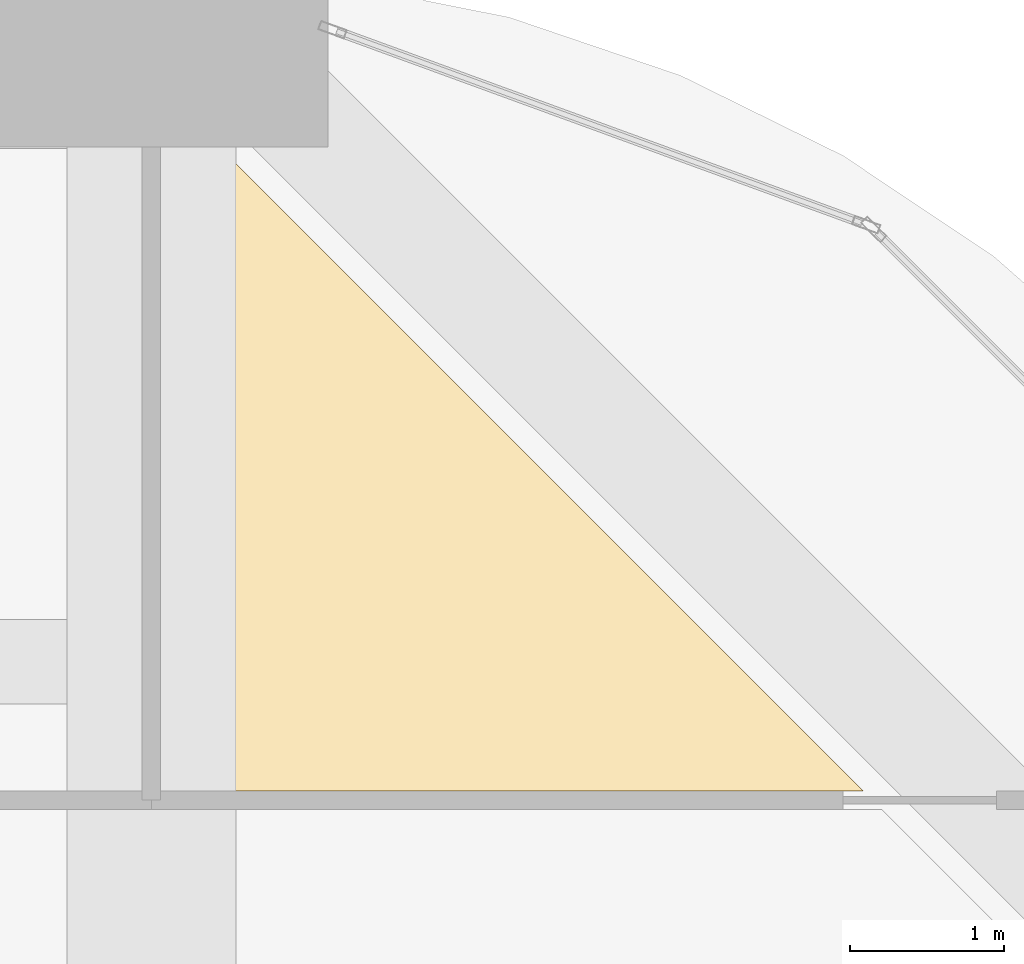
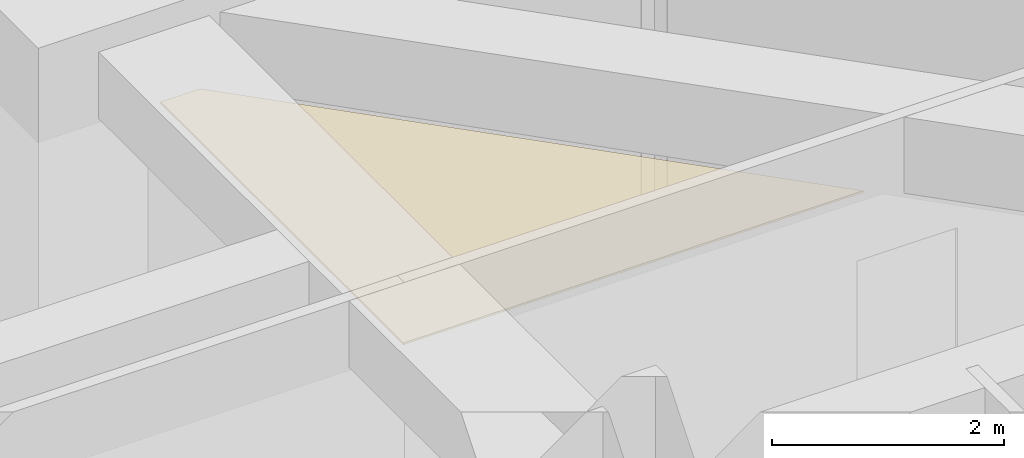
# One storey, part 44 of 44: 1 covering.
"""IFC4 building model written with IfcOpenShell, lengths in metres."""

from ifc_helpers import new_model, si_unit, direction, frame, origin, place, context, subcontext, project, spatial, polyline, outline, extrude, material, layer, layer_set, type_object, element, save


model = new_model("IFC4")

# Units and contexts
model_context = context("Model", 3, precision=1e-05, world=origin(), true_north=direction((0.0, 1.0)))
body_context = subcontext(model_context, "Body", "Model", "MODEL_VIEW")
ifc_project = project(units=[si_unit("LENGTHUNIT", "METRE"), si_unit("AREAUNIT", "SQUARE_METRE"), si_unit("VOLUMEUNIT", "CUBIC_METRE"), si_unit("PLANEANGLEUNIT", "RADIAN"), si_unit("MASSUNIT", "GRAM", prefix="KILO")], contexts=[model_context])

# Site, building, storey
site_placement = place(None, origin())
site = spatial("IfcSite", under=ifc_project, at=site_placement, CompositionType="ELEMENT")
building_placement = place(site_placement, origin())
building = spatial("IfcBuilding", under=site, at=building_placement, Name="Zorevar Civic Tower", CompositionType="ELEMENT")
storey_placement = place(building_placement, frame((0.0, 0.0, 55.800048828125)))
storey = spatial("IfcBuildingStorey", under=building, at=storey_placement, Name="L13", CompositionType="ELEMENT", Elevation=55.800048828125)

# Covering
ifc_material = material(Name="Mineral fibre tiles on a concealed grid")
ifc_layer = layer(ifc_material, 0.02001953125)
ifc_layer_set = layer_set([ifc_layer], Name="Suspended ceiling SC1")
covering_type = type_object("IfcCoveringType", Name="Suspended ceiling SC1", PredefinedType="CEILING", material=ifc_layer_set)
covering_placement = place(storey_placement, frame((0.0, 0.0, 3.0)))
element("IfcCovering", 1, at=covering_placement, inside=storey, type_object=covering_type, Name="Ceiling L13-37", PredefinedType="CEILING", context=body_context, shape_type="SweptSolid", body=[
    extrude(outline(polyline([(54.06005859375, 48.659912109375), (54.06005859375, 52.840087890625), (54.452880859375, 52.840087890625), (58.6328125, 48.659912109375), (54.06005859375, 48.659912109375)])), origin(), (0.0, 0.0, 1.0), 0.02001953125),
])

save(model, "model.ifc")
